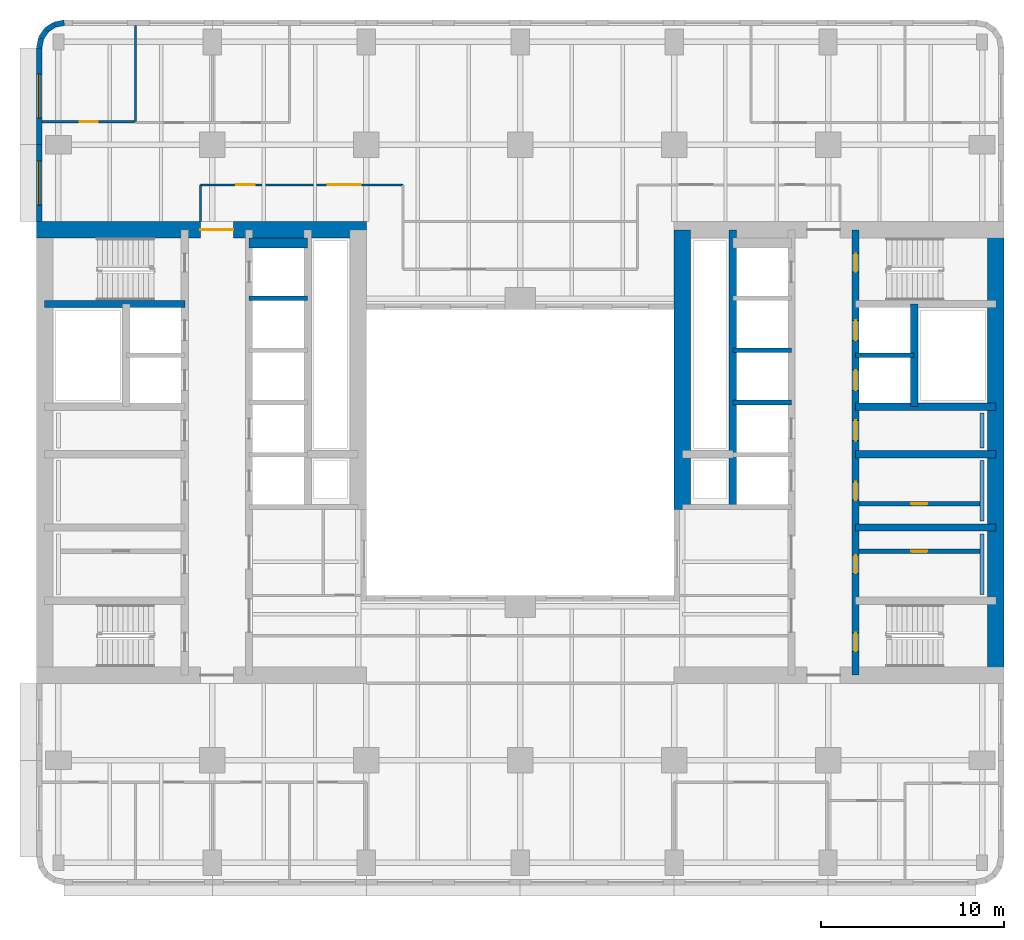
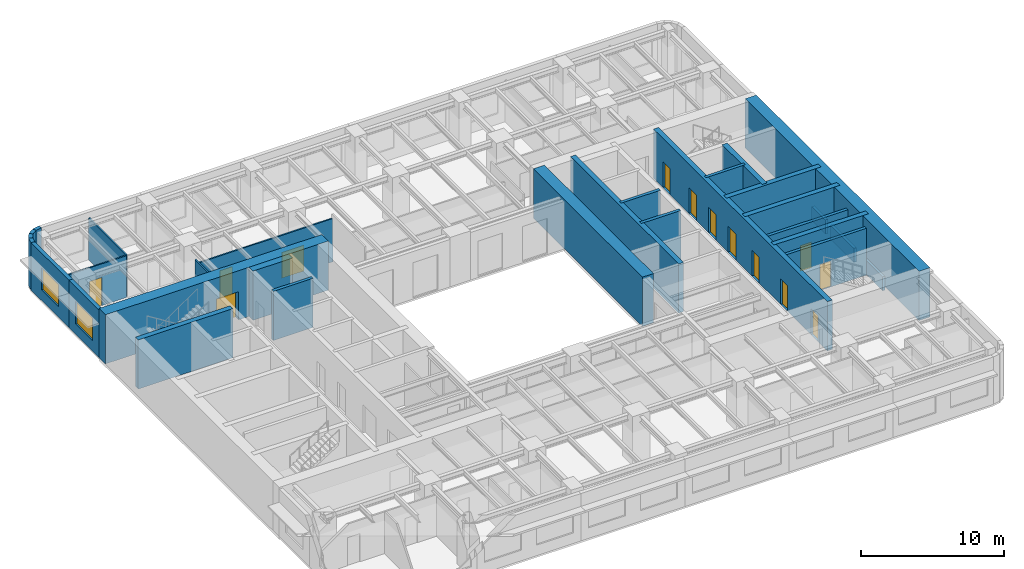
# One storey, part 6 of 11: 30 walls, 13 doors, 2 windows, 15 openings.
"""IFC4 building model written with IfcOpenShell, lengths in metres."""

from ifc_helpers import new_model, si_unit, direction, frame, frame_2d, origin, place, context, subcontext, project, spatial, rectangle, extrude, material, layer, layer_set, type_object, element, fill, save


model = new_model("IFC4")

# Units and contexts
model_context = context("Model", 3, precision=1e-05, world=origin(), true_north=direction((0.0, 1.0)))
body_context = subcontext(model_context, "Body", "Model", "MODEL_VIEW")
ifc_project = project(units=[si_unit("LENGTHUNIT", "METRE"), si_unit("AREAUNIT", "SQUARE_METRE"), si_unit("VOLUMEUNIT", "CUBIC_METRE"), si_unit("PLANEANGLEUNIT", "RADIAN"), si_unit("MASSUNIT", "GRAM", prefix="KILO")], contexts=[model_context])

# Site, building, storey
site_placement = place(None, origin())
site = spatial("IfcSite", under=ifc_project, at=site_placement, CompositionType="ELEMENT")
building_placement = place(site_placement, origin())
building = spatial("IfcBuilding", under=site, at=building_placement, Name="Claustro Exchange Tower", CompositionType="ELEMENT")
storey_placement = place(building_placement, frame((0.0, 0.0, 109.199951171875)))
storey = spatial("IfcBuildingStorey", under=building, at=storey_placement, Name="L24", CompositionType="ELEMENT", Elevation=109.199951171875)

# Wall, opening, door
ifc_material_1 = material(Name="Laminated glass in aluminium frame", Category="aluminium")
ifc_layer_1 = layer(ifc_material_1, 0.1201171875)
ifc_layer_set_1 = layer_set([ifc_layer_1], Name="Laminated glass in aluminium frame")
wall_type_1 = type_object("IfcWallType", Name="P2 120 glazed partition", PredefinedType="PARTITIONING", material=ifc_layer_set_1)
wall_1_placement = place(storey_placement, frame((-0.902099609375, 43.25, 0.0), z_axis=(0.0, 0.0, 1.0), x_axis=(1.0, 0.0, 0.0)))
wall_1 = element("IfcWall", 1, at=wall_1_placement, inside=storey, type_object=wall_type_1, Name="Partition P2 L24", PredefinedType="PARTITIONING", context=body_context, shape_type="SweptSolid", body=[
    extrude(rectangle(XDim=5.044189453125, YDim=0.1201171875, at=frame_2d((2.52197265625, 0.0))), origin(), (0.0, 0.0, 1.0), 3.56005859375),
])
opening_1_placement = place(wall_1_placement, frame((2.052001953125, 0.0, 0.0)))
opening_1 = element("IfcOpeningElement", 2, at=opening_1_placement, cuts=wall_1, Name="Opening D7", PredefinedType="OPENING", context=body_context, shape_type="SweptSolid", body=[
    extrude(rectangle(XDim=1.0, YDim=2.39990234375, at=frame_2d((0.5, 1.199951171875))), frame((0.0, 0.070068359375, 0.0), z_axis=(0.0, -1.0, 0.0), x_axis=(1.0, 0.0, 0.0)), (0.0, 0.0, 1.0), 0.14013671875),
])
ifc_material_2 = material(Name="Glass door in aluminium frame", Category="aluminium")
door_type_1 = type_object("IfcDoorType", Name="D7 1000 x 2400 glazed door", OperationType="SINGLE_SWING_LEFT", PredefinedType="DOOR", material=ifc_material_2)
door_1_placement = place(opening_1_placement, origin())
door_1 = element("IfcDoor", 3, at=door_1_placement, inside=storey, type_object=door_type_1, Name="Door D7 L24", OperationType="SINGLE_SWING_RIGHT", OverallHeight=2.39990234375, OverallWidth=1.0, PredefinedType="DOOR", context=body_context, shape_type="SweptSolid", body=[
    extrude(rectangle(XDim=1.0, YDim=2.39990234375, at=frame_2d((0.5, 1.199951171875))), frame((0.0, 0.02490234375, 0.0), z_axis=(0.0, -1.0, 0.0), x_axis=(1.0, 0.0, 0.0)), (0.0, 0.0, 1.0), 0.050048828125),
])
fill(opening_1, door_1)

# Wall
wall_2_placement = place(storey_placement, frame((4.199951171875, 43.258056640625, 0.0), z_axis=(0.0, 0.0, 1.0), x_axis=(0.0, 1.0, 0.0)))
element("IfcWall", 4, at=wall_2_placement, inside=storey, type_object=wall_type_1, Name="Partition P2 L24", PredefinedType="PARTITIONING", context=body_context, shape_type="SweptSolid", body=[
    extrude(rectangle(XDim=5.243896484375, YDim=0.1201171875, at=frame_2d((2.6220703125, 0.0))), origin(), (0.0, 0.0, 1.0), 3.56005859375),
])

# Wall, openings, doors
wall_3_placement = place(storey_placement, frame((7.75, 39.800048828125, 0.0), z_axis=(0.0, 0.0, 1.0), x_axis=(1.0, 0.0, 0.0)))
wall_3 = element("IfcWall", 5, at=wall_3_placement, inside=storey, type_object=wall_type_1, Name="Partition P2 L24", PredefinedType="PARTITIONING", context=body_context, shape_type="SweptSolid", body=[
    extrude(rectangle(XDim=11.050048828125, YDim=0.1201171875, at=frame_2d((5.52490234375, 0.0))), origin(), (0.0, 0.0, 1.0), 3.68994140625),
])
opening_2_placement = place(wall_3_placement, frame((1.949951171875, 0.0, 0.0)))
opening_2 = element("IfcOpeningElement", 6, at=opening_2_placement, cuts=wall_3, Name="Opening D7", PredefinedType="OPENING", context=body_context, shape_type="SweptSolid", body=[
    extrude(rectangle(XDim=1.0, YDim=2.39990234375, at=frame_2d((0.5, 1.199951171875))), frame((0.0, 0.070068359375, 0.0), z_axis=(0.0, -1.0, 0.0), x_axis=(1.0, 0.0, 0.0)), (0.0, 0.0, 1.0), 0.14013671875),
])
opening_3_placement = place(wall_3_placement, frame((6.949951171875, 0.0, 0.0)))
opening_3 = element("IfcOpeningElement", 7, at=opening_3_placement, cuts=wall_3, Name="Opening D2", PredefinedType="OPENING", context=body_context, shape_type="SweptSolid", body=[
    extrude(rectangle(XDim=1.800048828125, YDim=2.199951171875, at=frame_2d((0.89990234375, 1.10009765625))), frame((0.0, 0.070068359375, 0.0), z_axis=(0.0, -1.0, 0.0), x_axis=(1.0, 0.0, 0.0)), (0.0, 0.0, 1.0), 0.14013671875),
])
ifc_material_3 = material(Name="Timber door, oak veneer", Category="wood")
door_type_2 = type_object("IfcDoorType", Name="D2 1800 x 2200 double door", OperationType="DOUBLE_DOOR_SINGLE_SWING", PredefinedType="DOOR", material=ifc_material_3)
door_2_placement = place(opening_3_placement, origin())
door_2 = element("IfcDoor", 8, at=door_2_placement, inside=storey, type_object=door_type_2, Name="Double door D2 L24", OperationType="DOUBLE_DOOR_SINGLE_SWING", OverallHeight=2.199951171875, OverallWidth=1.800048828125, PredefinedType="DOOR", context=body_context, shape_type="SweptSolid", body=[
    extrude(rectangle(XDim=1.800048828125, YDim=2.199951171875, at=frame_2d((0.89990234375, 1.10009765625))), frame((0.0, 0.02490234375, 0.0), z_axis=(0.0, -1.0, 0.0), x_axis=(1.0, 0.0, 0.0)), (0.0, 0.0, 1.0), 0.050048828125),
])
fill(opening_3, door_2)
door_3_placement = place(opening_2_placement, origin())
door_3 = element("IfcDoor", 9, at=door_3_placement, inside=storey, type_object=door_type_1, Name="Door D7 L24", OperationType="SINGLE_SWING_LEFT", OverallHeight=2.39990234375, OverallWidth=1.0, PredefinedType="DOOR", context=body_context, shape_type="SweptSolid", body=[
    extrude(rectangle(XDim=1.0, YDim=2.39990234375, at=frame_2d((0.5, 1.199951171875))), frame((0.0, 0.02490234375, 0.0), z_axis=(0.0, -1.0, 0.0), x_axis=(1.0, 0.0, 0.0)), (0.0, 0.0, 1.0), 0.050048828125),
])
fill(opening_2, door_3)

# Wall
wall_4_placement = place(storey_placement, frame((7.75, 37.800048828125, 0.0), z_axis=(0.0, 0.0, 1.0), x_axis=(0.0, 1.0, 0.0)))
element("IfcWall", 10, at=wall_4_placement, inside=storey, type_object=wall_type_1, Name="Partition P2 L24", PredefinedType="PARTITIONING", context=body_context, shape_type="SweptSolid", body=[
    extrude(rectangle(XDim=2.0, YDim=0.1201171875, at=frame_2d((1.0, 0.0))), origin(), (0.0, 0.0, 1.0), 4.050048828125),
])

# Wall, opening, door
ifc_material_4 = material(Name="Concrete blockwork, rendered", Category="masonry")
ifc_layer_2 = layer(ifc_material_4, 0.25)
ifc_layer_set_2 = layer_set([ifc_layer_2], Name="Concrete blockwork, rendered")
wall_type_2 = type_object("IfcWallType", Name="P4 250 blockwork wall", PredefinedType="PARTITIONING", material=ifc_layer_set_2)
wall_5_placement = place(storey_placement, frame((43.699951171875, 22.39990234375, 0.0), z_axis=(0.0, 0.0, 1.0), x_axis=(1.0, 0.0, 0.0)))
wall_5 = element("IfcWall", 11, at=wall_5_placement, inside=storey, type_object=wall_type_2, Name="Partition P4 L24", PredefinedType="PARTITIONING", context=body_context, shape_type="SweptSolid", body=[
    extrude(rectangle(XDim=6.60009765625, YDim=0.25, at=frame_2d((3.300048828125, 0.0))), origin(), (0.0, 0.0, 1.0), 4.0),
])
opening_4_placement = place(wall_5_placement, frame((2.824951171875, 0.0, 0.0)))
opening_4 = element("IfcOpeningElement", 12, at=opening_4_placement, cuts=wall_5, Name="Opening D5", PredefinedType="OPENING", context=body_context, shape_type="SweptSolid", body=[
    extrude(rectangle(XDim=0.89990234375, YDim=2.199951171875, at=frame_2d((0.449951171875, 1.10009765625))), frame((0.0, 0.135009765625, 0.0), z_axis=(0.0, -1.0, 0.0), x_axis=(1.0, 0.0, 0.0)), (0.0, 0.0, 1.0), 0.27001953125),
])
ifc_material_5 = material(Name="Steel door, painted", Category="steel")
door_type_3 = type_object("IfcDoorType", Name="D5 900 x 2200 store door", OperationType="SINGLE_SWING_LEFT", PredefinedType="DOOR", material=ifc_material_5)
door_4_placement = place(opening_4_placement, frame((0.89990234375, 0.0, 0.0), z_axis=(0.0, 0.0, 1.0), x_axis=(-1.0, 0.0, 0.0)))
door_4 = element("IfcDoor", 13, at=door_4_placement, inside=storey, type_object=door_type_3, Name="Store door D5 L24", OperationType="SINGLE_SWING_LEFT", OverallHeight=2.199951171875, OverallWidth=0.89990234375, PredefinedType="DOOR", context=body_context, shape_type="SweptSolid", body=[
    extrude(rectangle(XDim=0.89990234375, YDim=2.199951171875, at=frame_2d((0.449951171875, 1.10009765625))), frame((0.0, 0.02490234375, 0.0), z_axis=(0.0, -1.0, 0.0), x_axis=(1.0, 0.0, 0.0)), (0.0, 0.0, 1.0), 0.050048828125),
])
fill(opening_4, door_4)

wall_6_placement = place(storey_placement, frame((43.699951171875, 19.800048828125, 0.0), z_axis=(0.0, 0.0, 1.0), x_axis=(1.0, 0.0, 0.0)))
wall_6 = element("IfcWall", 14, at=wall_6_placement, inside=storey, type_object=wall_type_2, Name="Partition P4 L24", PredefinedType="PARTITIONING", context=body_context, shape_type="SweptSolid", body=[
    extrude(rectangle(XDim=6.60009765625, YDim=0.25, at=frame_2d((3.300048828125, 0.0))), origin(), (0.0, 0.0, 1.0), 4.0),
])
opening_5_placement = place(wall_6_placement, frame((2.824951171875, 0.0, 0.0)))
opening_5 = element("IfcOpeningElement", 15, at=opening_5_placement, cuts=wall_6, Name="Opening D5", PredefinedType="OPENING", context=body_context, shape_type="SweptSolid", body=[
    extrude(rectangle(XDim=0.89990234375, YDim=2.199951171875, at=frame_2d((0.449951171875, 1.10009765625))), frame((0.0, 0.135009765625, 0.0), z_axis=(0.0, -1.0, 0.0), x_axis=(1.0, 0.0, 0.0)), (0.0, 0.0, 1.0), 0.27001953125),
])
door_5_placement = place(opening_5_placement, origin())
door_5 = element("IfcDoor", 16, at=door_5_placement, inside=storey, type_object=door_type_3, Name="Store door D5 L24", OperationType="SINGLE_SWING_RIGHT", OverallHeight=2.199951171875, OverallWidth=0.89990234375, PredefinedType="DOOR", context=body_context, shape_type="SweptSolid", body=[
    extrude(rectangle(XDim=0.89990234375, YDim=2.199951171875, at=frame_2d((0.449951171875, 1.10009765625))), frame((0.0, 0.02490234375, 0.0), z_axis=(0.0, -1.0, 0.0), x_axis=(1.0, 0.0, 0.0)), (0.0, 0.0, 1.0), 0.050048828125),
])
fill(opening_5, door_5)

# Wall, opening, window
ifc_material_6 = material(Name="Concrete HA-40 (C40/50), precast, white cement, acid-etched", Category="concrete")
ifc_layer_3 = layer(ifc_material_6, 0.300048828125)
ifc_layer_set_3 = layer_set([ifc_layer_3], Name="Concrete HA-40 (C40/50), precast, white cement, acid-etched")
wall_type_3 = type_object("IfcWallType", Name="PC1 300 precast concrete pier panel", PredefinedType="SOLIDWALL", material=ifc_layer_set_3)
wall_7_placement = place(storey_placement, frame((-1.050048828125, 37.800048828125, 0.0), z_axis=(0.0, 0.0, 1.0), x_axis=(0.0, 1.0, 0.0)))
wall_7 = element("IfcWall", 17, at=wall_7_placement, inside=storey, type_object=wall_type_3, Name="Precast pier panel PC1 L24", PredefinedType="SOLIDWALL", context=body_context, shape_type="SweptSolid", body=[
    extrude(rectangle(XDim=4.199951171875, YDim=0.300048828125, at=frame_2d((2.10009765625, 0.0))), origin(), (0.0, 0.0, 1.0), 4.050048828125),
])
opening_6_placement = place(wall_7_placement, frame((0.89990234375, 0.0, 0.89990234375)))
opening_6 = element("IfcOpeningElement", 18, at=opening_6_placement, cuts=wall_7, Name="Opening W2", PredefinedType="OPENING", context=body_context, shape_type="SweptSolid", body=[
    extrude(rectangle(XDim=2.39990234375, YDim=1.89990234375, at=frame_2d((1.199951171875, 0.949951171875))), frame((0.0, 0.159912109375, 0.0), z_axis=(0.0, -1.0, 0.0), x_axis=(1.0, 0.0, 0.0)), (0.0, 0.0, 1.0), 0.320068359375),
])
ifc_material_7 = material(Name="Aluminium frame, clear double glazing", Category="aluminium")
window_type = type_object("IfcWindowType", Name="W2 2400 x 1900 window", PartitioningType="SINGLE_PANEL", PredefinedType="WINDOW", material=ifc_material_7)
window_1_placement = place(opening_6_placement, origin())
window_1 = element("IfcWindow", 19, at=window_1_placement, inside=storey, type_object=window_type, Name="Window W2 L24", OverallHeight=1.89990234375, OverallWidth=2.39990234375, PartitioningType="SINGLE_PANEL", PredefinedType="WINDOW", context=body_context, shape_type="SweptSolid", body=[
    extrude(rectangle(XDim=2.39990234375, YDim=1.89990234375, at=frame_2d((1.199951171875, 0.949951171875))), frame((0.0, 0.030029296875, 0.0), z_axis=(0.0, -1.0, 0.0), x_axis=(1.0, 0.0, 0.0)), (0.0, 0.0, 1.0), 0.06005859375),
])
fill(opening_6, window_1)

wall_8_placement = place(storey_placement, frame((-1.050048828125, 42.0, 0.0), z_axis=(0.0, 0.0, 1.0), x_axis=(0.0, 1.0, 0.0)))
wall_8 = element("IfcWall", 20, at=wall_8_placement, inside=storey, type_object=wall_type_3, Name="Precast pier panel PC1 L24", PredefinedType="SOLIDWALL", context=body_context, shape_type="SweptSolid", body=[
    extrude(rectangle(XDim=5.28515625, YDim=0.300048828125, at=frame_2d((2.642578125, 0.0))), origin(), (0.0, 0.0, 1.0), 4.050048828125),
])
opening_7_placement = place(wall_8_placement, frame((1.442626953125, 0.0, 0.89990234375)))
opening_7 = element("IfcOpeningElement", 21, at=opening_7_placement, cuts=wall_8, Name="Opening W2", PredefinedType="OPENING", context=body_context, shape_type="SweptSolid", body=[
    extrude(rectangle(XDim=2.39990234375, YDim=1.89990234375, at=frame_2d((1.199951171875, 0.949951171875))), frame((0.0, 0.159912109375, 0.0), z_axis=(0.0, -1.0, 0.0), x_axis=(1.0, 0.0, 0.0)), (0.0, 0.0, 1.0), 0.320068359375),
])
window_2_placement = place(opening_7_placement, origin())
window_2 = element("IfcWindow", 22, at=window_2_placement, inside=storey, type_object=window_type, Name="Window W2 L24", OverallHeight=1.89990234375, OverallWidth=2.39990234375, PartitioningType="SINGLE_PANEL", PredefinedType="WINDOW", context=body_context, shape_type="SweptSolid", body=[
    extrude(rectangle(XDim=2.39990234375, YDim=1.89990234375, at=frame_2d((1.199951171875, 0.949951171875))), frame((0.0, 0.030029296875, 0.0), z_axis=(0.0, -1.0, 0.0), x_axis=(1.0, 0.0, 0.0)), (0.0, 0.0, 1.0), 0.06005859375),
])
fill(opening_7, window_2)

# Walls
wall_9_placement = place(storey_placement, frame((-1.050048828125, 47.28515625, 0.0), z_axis=(0.0, 0.0, 1.0), x_axis=(0.195073962632, 0.980788534345, 0.0)))
element("IfcWall", 23, at=wall_9_placement, inside=storey, type_object=wall_type_3, Name="Precast pier panel PC1 L24", PredefinedType="SOLIDWALL", context=body_context, shape_type="SweptSolid", body=[
    extrude(rectangle(XDim=0.540771484375, YDim=0.300048828125, at=frame_2d((0.2705078125, 0.0))), origin(), (0.0, 0.0, 1.0), 4.050048828125),
])
wall_10_placement = place(storey_placement, frame((-0.944580078125, 47.8154296875, 0.0), z_axis=(0.0, 0.0, 1.0), x_axis=(0.55534295404, 0.831621430339, 0.0)))
element("IfcWall", 24, at=wall_10_placement, inside=storey, type_object=wall_type_3, Name="Precast pier panel PC1 L24", PredefinedType="SOLIDWALL", context=body_context, shape_type="SweptSolid", body=[
    extrude(rectangle(XDim=0.52587890625, YDim=0.300048828125, at=frame_2d((0.262939453125, 0.0))), origin(), (0.0, 0.0, 1.0), 4.050048828125),
])
wall_11_placement = place(storey_placement, frame((-0.652587890625, 48.252685546875, 0.0), z_axis=(0.0, 0.0, 1.0), x_axis=(0.831692711774, 0.555236195849, 0.0)))
element("IfcWall", 25, at=wall_11_placement, inside=storey, type_object=wall_type_3, Name="Precast pier panel PC1 L24", PredefinedType="SOLIDWALL", context=body_context, shape_type="SweptSolid", body=[
    extrude(rectangle(XDim=0.525390625, YDim=0.300048828125, at=frame_2d((0.2626953125, 0.0))), origin(), (0.0, 0.0, 1.0), 4.050048828125),
])
wall_12_placement = place(storey_placement, frame((-0.215576171875, 48.54443359375, 0.0), z_axis=(0.0, 0.0, 1.0), x_axis=(0.980788534345, 0.195073962632, 0.0)))
element("IfcWall", 26, at=wall_12_placement, inside=storey, type_object=wall_type_3, Name="Precast pier panel PC1 L24", PredefinedType="SOLIDWALL", context=body_context, shape_type="SweptSolid", body=[
    extrude(rectangle(XDim=0.540771484375, YDim=0.300048828125, at=frame_2d((0.2705078125, 0.0))), origin(), (0.0, 0.0, 1.0), 4.050048828125),
])
ifc_material_8 = material(Name="Gypsum board on steel studs, tiled", Category="steel")
ifc_layer_4 = layer(ifc_material_8, 0.199951171875)
ifc_layer_set_4 = layer_set([ifc_layer_4], Name="Gypsum board on steel studs, tiled")
wall_type_4 = type_object("IfcWallType", Name="PW1 200 WC duct wall", PredefinedType="PLUMBINGWALL", material=ifc_layer_set_4)
for number, where, z_axis, x_axis, name in (
    (27, (50.39990234375, 17.449951171875, 0.0), (0.0, 0.0, 1.0), (0.0, 1.0, 0.0), "WC duct wall PW1 L24"),
    (28, (50.39990234375, 21.449951171875, 0.0), (0.0, 0.0, 1.0), (0.0, 1.0, 0.0), "WC duct wall PW1 L24"),
):
    element("IfcWall", number, at=place(storey_placement, frame(where, z_axis=z_axis, x_axis=x_axis)), inside=storey, type_object=wall_type_4, Name=name, PredefinedType="PLUMBINGWALL", context=body_context, shape_type="SweptSolid", body=[
        extrude(rectangle(XDim=3.300048828125, YDim=0.199951171875, at=frame_2d((1.64990234375, 0.0))), origin(), (0.0, 0.0, 1.0), 1.199951171875),
    ])
wall_13_placement = place(storey_placement, frame((50.39990234375, 25.449951171875, 0.0), z_axis=(0.0, 0.0, 1.0), x_axis=(0.0, 1.0, 0.0)))
element("IfcWall", 29, at=wall_13_placement, inside=storey, type_object=wall_type_4, Name="WC duct wall PW1 L24", PredefinedType="PLUMBINGWALL", context=body_context, shape_type="SweptSolid", body=[
    extrude(rectangle(XDim=1.900146484375, YDim=0.199951171875, at=frame_2d((0.9501953125, 0.0))), origin(), (0.0, 0.0, 1.0), 1.199951171875),
])

# Wall, opening, door
ifc_material_9 = material(Name="Concrete HA-70 (C70/85)", Category="concrete")
ifc_layer_5 = layer(ifc_material_9, 0.89990234375)
ifc_layer_set_5 = layer_set([ifc_layer_5], Name="Concrete HA-70 (C70/85)")
wall_type_5 = type_object("IfcWallType", Name="SW1 900 core shear wall", PredefinedType="SHEAR", material=ifc_layer_set_5)
wall_14_placement = place(storey_placement, frame((-1.199951171875, 37.35009765625, 0.0), z_axis=(0.0, 0.0, 1.0), x_axis=(1.0, 0.0, 0.0)))
wall_14 = element("IfcWall", 30, at=wall_14_placement, inside=storey, type_object=wall_type_5, Name="Core wall SW1 W core N face L24", PredefinedType="SHEAR", context=body_context, shape_type="SweptSolid", body=[
    extrude(rectangle(XDim=18.0, YDim=0.89990234375, at=frame_2d((9.0, 0.0))), origin(), (0.0, 0.0, 1.0), 4.199951171875),
])
opening_8_placement = place(wall_14_placement, frame((8.949951171875, 0.0, 0.0)))
opening_8 = element("IfcOpeningElement", 31, at=opening_8_placement, cuts=wall_14, Name="Opening D3", PredefinedType="OPENING", context=body_context, shape_type="SweptSolid", body=[
    extrude(rectangle(XDim=1.800048828125, YDim=2.39990234375, at=frame_2d((0.89990234375, 1.199951171875))), frame((0.0, 0.4599609375, 0.0), z_axis=(0.0, -1.0, 0.0), x_axis=(1.0, 0.0, 0.0)), (0.0, 0.0, 1.0), 0.919921875),
])
ifc_material_10 = material(Name="Steel fire door, painted", Category="steel")
door_type_4 = type_object("IfcDoorType", Name="D3 1800 x 2400 fire-rated lobby double door", OperationType="DOUBLE_DOOR_SINGLE_SWING", PredefinedType="DOOR", material=ifc_material_10)
door_6_placement = place(opening_8_placement, frame((1.800048828125, 0.0, 0.0), z_axis=(0.0, 0.0, 1.0), x_axis=(-1.0, 0.0, 0.0)))
door_6 = element("IfcDoor", 32, at=door_6_placement, inside=storey, type_object=door_type_4, Name="Lift lobby door D3 L24", OperationType="DOUBLE_DOOR_SINGLE_SWING", OverallHeight=2.39990234375, OverallWidth=1.800048828125, PredefinedType="DOOR", context=body_context, shape_type="SweptSolid", body=[
    extrude(rectangle(XDim=1.800048828125, YDim=2.39990234375, at=frame_2d((0.89990234375, 1.199951171875))), frame((0.0, 0.02490234375, 0.0), z_axis=(0.0, -1.0, 0.0), x_axis=(1.0, 0.0, 0.0)), (0.0, 0.0, 1.0), 0.050048828125),
])
fill(opening_8, door_6)

# Walls
ifc_material_11 = material(Name="Concrete HA-70 (C70/85)", Category="concrete")
ifc_layer_6 = layer(ifc_material_11, 0.89990234375)
ifc_layer_set_6 = layer_set([ifc_layer_6], Name="Concrete HA-70 (C70/85)")
wall_type_6 = type_object("IfcWallType", Name="SW1X 900 exposed core shear wall, board-marked face", PredefinedType="SHEAR", material=ifc_layer_set_6)
wall_15_placement = place(storey_placement, frame((34.050048828125, 22.10009765625, 0.0), z_axis=(0.0, 0.0, 1.0), x_axis=(0.0, 1.0, 0.0)))
element("IfcWall", 33, at=wall_15_placement, inside=storey, type_object=wall_type_6, Name="Core wall SW1X E core W face L24", PredefinedType="SHEAR", context=body_context, shape_type="SweptSolid", body=[
    extrude(rectangle(XDim=15.25, YDim=0.89990234375, at=frame_2d((7.625, 0.0))), origin(), (0.0, 0.0, 1.0), 4.199951171875),
])
wall_16_placement = place(storey_placement, frame((51.14990234375, 13.050048828125, 0.0), z_axis=(0.0, 0.0, 1.0), x_axis=(0.0, 1.0, 0.0)))
element("IfcWall", 34, at=wall_16_placement, inside=storey, type_object=wall_type_6, Name="Core wall SW1X E core E face L24", PredefinedType="SHEAR", context=body_context, shape_type="SweptSolid", body=[
    extrude(rectangle(XDim=24.300048828125, YDim=0.89990234375, at=frame_2d((12.14990234375, 0.0))), origin(), (0.0, 0.0, 1.0), 4.199951171875),
])
ifc_material_12 = material(Name="Concrete HA-50 (C50/60)", Category="concrete")
ifc_layer_7 = layer(ifc_material_12, 0.39990234375)
ifc_layer_set_7 = layer_set([ifc_layer_7], Name="Concrete HA-50 (C50/60)")
wall_type_7 = type_object("IfcWallType", Name="SW4 400 internal core wall", PredefinedType="SHEAR", material=ifc_layer_set_7)
wall_17_placement = place(storey_placement, frame((-0.75, 33.300048828125, 0.0), z_axis=(0.0, 0.0, 1.0), x_axis=(1.0, 0.0, 0.0)))
element("IfcWall", 35, at=wall_17_placement, inside=storey, type_object=wall_type_7, Name="Internal core wall SW4 W core L24", PredefinedType="SHEAR", context=body_context, shape_type="SweptSolid", body=[
    extrude(rectangle(XDim=7.64990234375, YDim=0.39990234375, at=frame_2d((3.824951171875, 0.0))), origin(), (0.0, 0.0, 1.0), 4.199951171875),
])

# Wall, openings, doors
wall_18_placement = place(storey_placement, frame((43.5, 13.050048828125, 0.0), z_axis=(0.0, 0.0, 1.0), x_axis=(0.0, 1.0, 0.0)))
wall_18 = element("IfcWall", 36, at=wall_18_placement, inside=storey, type_object=wall_type_7, Name="Internal core wall SW4 E core L24", PredefinedType="SHEAR", context=body_context, shape_type="SweptSolid", body=[
    extrude(rectangle(XDim=24.300048828125, YDim=0.39990234375, at=frame_2d((12.14990234375, 0.0))), origin(), (0.0, 0.0, 1.0), 4.199951171875),
])
opening_9_placement = place(wall_18_placement, frame((1.300048828125, 0.0, 0.0)))
opening_9 = element("IfcOpeningElement", 37, at=opening_9_placement, cuts=wall_18, Name="Opening D4", PredefinedType="OPENING", context=body_context, shape_type="SweptSolid", body=[
    extrude(rectangle(XDim=1.0, YDim=2.199951171875, at=frame_2d((0.5, 1.10009765625))), frame((0.0, 0.2099609375, 0.0), z_axis=(0.0, -1.0, 0.0), x_axis=(1.0, 0.0, 0.0)), (0.0, 0.0, 1.0), 0.419921875),
])
opening_10_placement = place(wall_18_placement, frame((22.0, 0.0, 0.0)))
opening_10 = element("IfcOpeningElement", 38, at=opening_10_placement, cuts=wall_18, Name="Opening D4", PredefinedType="OPENING", context=body_context, shape_type="SweptSolid", body=[
    extrude(rectangle(XDim=1.0, YDim=2.199951171875, at=frame_2d((0.5, 1.10009765625))), frame((0.0, 0.2099609375, 0.0), z_axis=(0.0, -1.0, 0.0), x_axis=(1.0, 0.0, 0.0)), (0.0, 0.0, 1.0), 0.419921875),
])
opening_11_placement = place(wall_18_placement, frame((5.550048828125, 0.0, 0.0)))
opening_11 = element("IfcOpeningElement", 39, at=opening_11_placement, cuts=wall_18, Name="Opening D1", PredefinedType="OPENING", context=body_context, shape_type="SweptSolid", body=[
    extrude(rectangle(XDim=1.0, YDim=2.199951171875, at=frame_2d((0.5, 1.10009765625))), frame((0.0, 0.2099609375, 0.0), z_axis=(0.0, -1.0, 0.0), x_axis=(1.0, 0.0, 0.0)), (0.0, 0.0, 1.0), 0.419921875),
])
opening_12_placement = place(wall_18_placement, frame((9.550048828125, 0.0, 0.0)))
opening_12 = element("IfcOpeningElement", 40, at=opening_12_placement, cuts=wall_18, Name="Opening D1", PredefinedType="OPENING", context=body_context, shape_type="SweptSolid", body=[
    extrude(rectangle(XDim=1.0, YDim=2.199951171875, at=frame_2d((0.5, 1.10009765625))), frame((0.0, 0.2099609375, 0.0), z_axis=(0.0, -1.0, 0.0), x_axis=(1.0, 0.0, 0.0)), (0.0, 0.0, 1.0), 0.419921875),
])
opening_13_placement = place(wall_18_placement, frame((12.800048828125, 0.0, 0.0)))
opening_13 = element("IfcOpeningElement", 41, at=opening_13_placement, cuts=wall_18, Name="Opening D10", PredefinedType="OPENING", context=body_context, shape_type="SweptSolid", body=[
    extrude(rectangle(XDim=1.10009765625, YDim=2.199951171875, at=frame_2d((0.550048828125, 1.10009765625))), frame((0.0, 0.2099609375, 0.0), z_axis=(0.0, -1.0, 0.0), x_axis=(1.0, 0.0, 0.0)), (0.0, 0.0, 1.0), 0.419921875),
])
opening_14_placement = place(wall_18_placement, frame((15.53759765625, 0.0, 0.0)))
opening_14 = element("IfcOpeningElement", 42, at=opening_14_placement, cuts=wall_18, Name="Opening LD", PredefinedType="OPENING", context=body_context, shape_type="SweptSolid", body=[
    extrude(rectangle(XDim=1.10009765625, YDim=2.199951171875, at=frame_2d((0.550048828125, 1.10009765625))), frame((0.0, 0.2099609375, 0.0), z_axis=(0.0, -1.0, 0.0), x_axis=(1.0, 0.0, 0.0)), (0.0, 0.0, 1.0), 0.419921875),
])
opening_15_placement = place(wall_18_placement, frame((18.262451171875, 0.0, 0.0)))
opening_15 = element("IfcOpeningElement", 43, at=opening_15_placement, cuts=wall_18, Name="Opening LD", PredefinedType="OPENING", context=body_context, shape_type="SweptSolid", body=[
    extrude(rectangle(XDim=1.10009765625, YDim=2.199951171875, at=frame_2d((0.550048828125, 1.10009765625))), frame((0.0, 0.2099609375, 0.0), z_axis=(0.0, -1.0, 0.0), x_axis=(1.0, 0.0, 0.0)), (0.0, 0.0, 1.0), 0.419921875),
])
ifc_material_13 = material(Name="Timber door, oak veneer", Category="wood")
door_type_5 = type_object("IfcDoorType", Name="D1 1000 x 2200 single door", OperationType="SINGLE_SWING_LEFT", PredefinedType="DOOR", material=ifc_material_13)
door_7_placement = place(opening_11_placement, frame((1.0, 0.0, 0.0), z_axis=(0.0, 0.0, 1.0), x_axis=(-1.0, 0.0, 0.0)))
door_7 = element("IfcDoor", 44, at=door_7_placement, inside=storey, type_object=door_type_5, Name="Door D1 L24", OperationType="SINGLE_SWING_LEFT", OverallHeight=2.199951171875, OverallWidth=1.0, PredefinedType="DOOR", context=body_context, shape_type="SweptSolid", body=[
    extrude(rectangle(XDim=1.0, YDim=2.199951171875, at=frame_2d((0.5, 1.10009765625))), frame((0.0, 0.02490234375, 0.0), z_axis=(0.0, -1.0, 0.0), x_axis=(1.0, 0.0, 0.0)), (0.0, 0.0, 1.0), 0.050048828125),
])
fill(opening_11, door_7)
door_8_placement = place(opening_12_placement, frame((1.0, 0.0, 0.0), z_axis=(0.0, 0.0, 1.0), x_axis=(-1.0, 0.0, 0.0)))
door_8 = element("IfcDoor", 45, at=door_8_placement, inside=storey, type_object=door_type_5, Name="Door D1 L24", OperationType="SINGLE_SWING_RIGHT", OverallHeight=2.199951171875, OverallWidth=1.0, PredefinedType="DOOR", context=body_context, shape_type="SweptSolid", body=[
    extrude(rectangle(XDim=1.0, YDim=2.199951171875, at=frame_2d((0.5, 1.10009765625))), frame((0.0, 0.02490234375, 0.0), z_axis=(0.0, -1.0, 0.0), x_axis=(1.0, 0.0, 0.0)), (0.0, 0.0, 1.0), 0.050048828125),
])
fill(opening_12, door_8)
ifc_material_14 = material(Name="Timber door, oak veneer", Category="wood")
door_type_6 = type_object("IfcDoorType", Name="D10 1100 x 2200 accessible WC door", OperationType="SINGLE_SWING_LEFT", PredefinedType="DOOR", material=ifc_material_14)
door_9_placement = place(opening_13_placement, origin())
door_9 = element("IfcDoor", 46, at=door_9_placement, inside=storey, type_object=door_type_6, Name="Accessible WC door D10 L24", OperationType="SINGLE_SWING_RIGHT", OverallHeight=2.199951171875, OverallWidth=1.10009765625, PredefinedType="DOOR", context=body_context, shape_type="SweptSolid", body=[
    extrude(rectangle(XDim=1.10009765625, YDim=2.199951171875, at=frame_2d((0.550048828125, 1.10009765625))), frame((0.0, 0.02490234375, 0.0), z_axis=(0.0, -1.0, 0.0), x_axis=(1.0, 0.0, 0.0)), (0.0, 0.0, 1.0), 0.050048828125),
])
fill(opening_13, door_9)
ifc_material_15 = material(Name="Steel fire door, painted", Category="steel")
door_type_7 = type_object("IfcDoorType", Name="D4 1000 x 2200 fire-rated stair door", OperationType="SINGLE_SWING_LEFT", PredefinedType="DOOR", material=ifc_material_15)
door_10_placement = place(opening_9_placement, frame((1.0, 0.0, 0.0), z_axis=(0.0, 0.0, 1.0), x_axis=(-1.0, 0.0, 0.0)))
door_10 = element("IfcDoor", 47, at=door_10_placement, inside=storey, type_object=door_type_7, Name="Stair door D4 L24", OperationType="SINGLE_SWING_RIGHT", OverallHeight=2.199951171875, OverallWidth=1.0, PredefinedType="DOOR", context=body_context, shape_type="SweptSolid", body=[
    extrude(rectangle(XDim=1.0, YDim=2.199951171875, at=frame_2d((0.5, 1.10009765625))), frame((0.0, 0.02490234375, 0.0), z_axis=(0.0, -1.0, 0.0), x_axis=(1.0, 0.0, 0.0)), (0.0, 0.0, 1.0), 0.050048828125),
])
fill(opening_9, door_10)
door_11_placement = place(opening_10_placement, frame((1.0, 0.0, 0.0), z_axis=(0.0, 0.0, 1.0), x_axis=(-1.0, 0.0, 0.0)))
door_11 = element("IfcDoor", 48, at=door_11_placement, inside=storey, type_object=door_type_7, Name="Stair door D4 L24", OperationType="SINGLE_SWING_LEFT", OverallHeight=2.199951171875, OverallWidth=1.0, PredefinedType="DOOR", context=body_context, shape_type="SweptSolid", body=[
    extrude(rectangle(XDim=1.0, YDim=2.199951171875, at=frame_2d((0.5, 1.10009765625))), frame((0.0, 0.02490234375, 0.0), z_axis=(0.0, -1.0, 0.0), x_axis=(1.0, 0.0, 0.0)), (0.0, 0.0, 1.0), 0.050048828125),
])
fill(opening_10, door_11)
ifc_material_16 = material(Name="Stainless steel sliding door", Category="steel")
door_type_8 = type_object("IfcDoorType", Name="LD 1100 x 2200 lift landing door", OperationType="DOUBLE_DOOR_SLIDING", PredefinedType="DOOR", material=ifc_material_16)
door_12_placement = place(opening_14_placement, origin())
door_12 = element("IfcDoor", 49, at=door_12_placement, inside=storey, type_object=door_type_8, Name="Lift landing door LEE1 LD L24", OperationType="DOUBLE_DOOR_SLIDING", OverallHeight=2.199951171875, OverallWidth=1.10009765625, PredefinedType="DOOR", context=body_context, shape_type="SweptSolid", body=[
    extrude(rectangle(XDim=1.10009765625, YDim=2.199951171875, at=frame_2d((0.550048828125, 1.10009765625))), frame((0.0, 0.02490234375, 0.0), z_axis=(0.0, -1.0, 0.0), x_axis=(1.0, 0.0, 0.0)), (0.0, 0.0, 1.0), 0.050048828125),
])
fill(opening_14, door_12)
door_13_placement = place(opening_15_placement, origin())
door_13 = element("IfcDoor", 50, at=door_13_placement, inside=storey, type_object=door_type_8, Name="Lift landing door LEE2 LD L24", OperationType="DOUBLE_DOOR_SLIDING", OverallHeight=2.199951171875, OverallWidth=1.10009765625, PredefinedType="DOOR", context=body_context, shape_type="SweptSolid", body=[
    extrude(rectangle(XDim=1.10009765625, YDim=2.199951171875, at=frame_2d((0.550048828125, 1.10009765625))), frame((0.0, 0.02490234375, 0.0), z_axis=(0.0, -1.0, 0.0), x_axis=(1.0, 0.0, 0.0)), (0.0, 0.0, 1.0), 0.050048828125),
])
fill(opening_15, door_13)

# Walls
wall_19_placement = place(storey_placement, frame((36.800048828125, 22.22509765625, 0.0), z_axis=(0.0, 0.0, 1.0), x_axis=(0.0, 1.0, 0.0)))
element("IfcWall", 51, at=wall_19_placement, inside=storey, type_object=wall_type_7, Name="Internal core wall SW4 E core L24", PredefinedType="SHEAR", context=body_context, shape_type="SweptSolid", body=[
    extrude(rectangle(XDim=15.125, YDim=0.39990234375, at=frame_2d((7.5625, 0.0))), origin(), (0.0, 0.0, 1.0), 4.199951171875),
])
for number, where, z_axis, x_axis, name in (
    (52, (51.14990234375, 21.10009765625, 0.0), (0.0, 0.0, 1.0), (-1.0, 0.0, 0.0), "Internal core wall SW4 E core L24"),
    (53, (51.14990234375, 25.10009765625, 0.0), (0.0, 0.0, 1.0), (-1.0, 0.0, 0.0), "Internal core wall SW4 E core L24"),
    (54, (51.14990234375, 27.699951171875, 0.0), (0.0, 0.0, 1.0), (-1.0, 0.0, 0.0), "Internal core wall SW4 E core L24"),
):
    element("IfcWall", number, at=place(storey_placement, frame(where, z_axis=z_axis, x_axis=x_axis)), inside=storey, type_object=wall_type_7, Name=name, PredefinedType="SHEAR", context=body_context, shape_type="SweptSolid", body=[
        extrude(rectangle(XDim=7.64990234375, YDim=0.39990234375, at=frame_2d((3.824951171875, 0.0))), origin(), (0.0, 0.0, 1.0), 4.199951171875),
    ])
wall_20_placement = place(storey_placement, frame((46.699951171875, 27.699951171875, 0.0), z_axis=(0.0, 0.0, 1.0), x_axis=(0.0, 1.0, 0.0)))
element("IfcWall", 55, at=wall_20_placement, inside=storey, type_object=wall_type_7, Name="Internal core wall SW4 E core L24", PredefinedType="SHEAR", context=body_context, shape_type="SweptSolid", body=[
    extrude(rectangle(XDim=5.60009765625, YDim=0.39990234375, at=frame_2d((2.800048828125, 0.0))), origin(), (0.0, 0.0, 1.0), 4.199951171875),
])
ifc_material_17 = material(Name="Concrete HA-50 (C50/60)", Category="concrete")
ifc_layer_8 = layer(ifc_material_17, 0.25)
ifc_layer_set_8 = layer_set([ifc_layer_8], Name="Concrete HA-50 (C50/60)")
wall_type_8 = type_object("IfcWallType", Name="SW5 250 lift shaft divider wall", PredefinedType="SHEAR", material=ifc_layer_set_8)
wall_21_placement = place(storey_placement, frame((10.39990234375, 33.625, 0.0), z_axis=(0.0, 0.0, 1.0), x_axis=(1.0, 0.0, 0.0)))
element("IfcWall", 56, at=wall_21_placement, inside=storey, type_object=wall_type_8, Name="Lift shaft wall W core L24", PredefinedType="SHEAR", context=body_context, shape_type="SweptSolid", body=[
    extrude(rectangle(XDim=3.2001953125, YDim=0.25, at=frame_2d((1.60009765625, 0.0))), origin(), (0.0, 0.0, 1.0), 4.199951171875),
])
for number, where, z_axis, x_axis, name in (
    (57, (46.699951171875, 30.5, 0.0), (0.0, 0.0, 1.0), (-1.0, 0.0, 0.0), "Lift shaft wall E core L24"),
    (58, (40.0, 27.925048828125, 0.0), (0.0, 0.0, 1.0), (-1.0, 0.0, 0.0), "Lift shaft wall E core L24"),
    (59, (40.0, 30.77490234375, 0.0), (0.0, 0.0, 1.0), (-1.0, 0.0, 0.0), "Lift shaft wall E core L24"),
):
    element("IfcWall", number, at=place(storey_placement, frame(where, z_axis=z_axis, x_axis=x_axis)), inside=storey, type_object=wall_type_8, Name=name, PredefinedType="SHEAR", context=body_context, shape_type="SweptSolid", body=[
        extrude(rectangle(XDim=3.199951171875, YDim=0.25, at=frame_2d((1.60009765625, 0.0))), origin(), (0.0, 0.0, 1.0), 4.199951171875),
    ])
ifc_material_18 = material(Name="Concrete HA-50 (C50/60)", Category="concrete")
ifc_layer_9 = layer(ifc_material_18, 0.550048828125)
ifc_layer_set_9 = layer_set([ifc_layer_9], Name="Concrete HA-50 (C50/60)")
wall_type_9 = type_object("IfcWallType", Name="SW6 550 lift shaft end wall", PredefinedType="SHEAR", material=ifc_layer_set_9)
wall_22_placement = place(storey_placement, frame((10.39990234375, 36.625, 0.0), z_axis=(0.0, 0.0, 1.0), x_axis=(1.0, 0.0, 0.0)))
element("IfcWall", 60, at=wall_22_placement, inside=storey, type_object=wall_type_9, Name="Lift shaft wall W core L24", PredefinedType="SHEAR", context=body_context, shape_type="SweptSolid", body=[
    extrude(rectangle(XDim=3.2001953125, YDim=0.550048828125, at=frame_2d((1.60009765625, 0.0))), origin(), (0.0, 0.0, 1.0), 4.199951171875),
])

save(model, "model.ifc")
